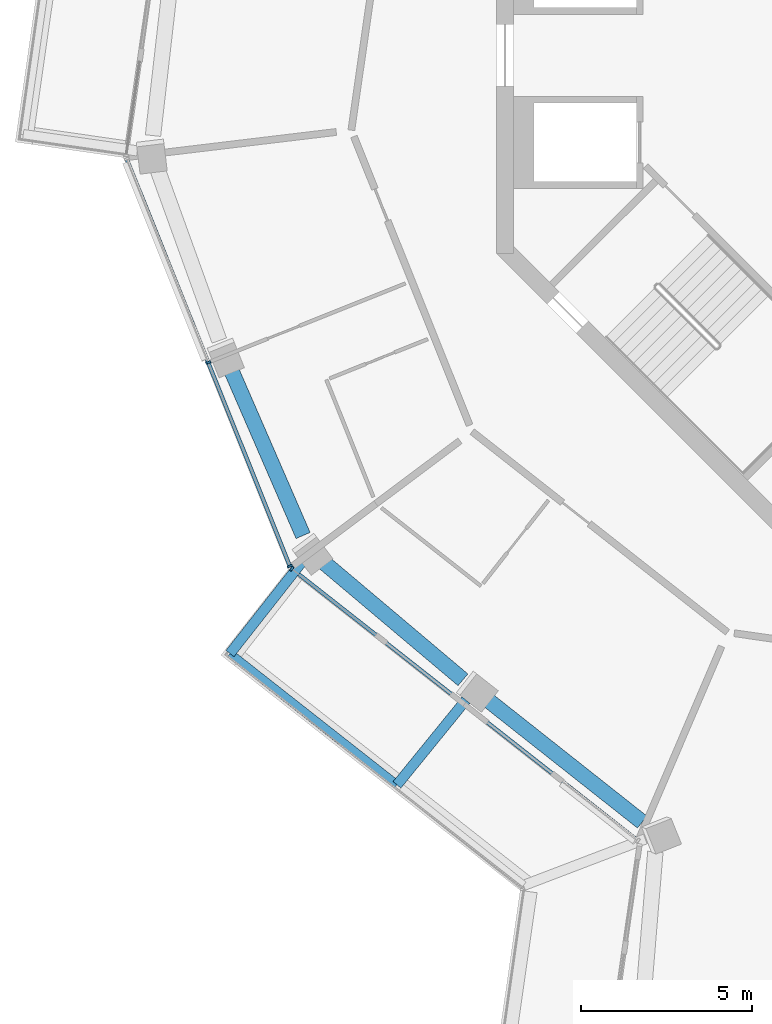
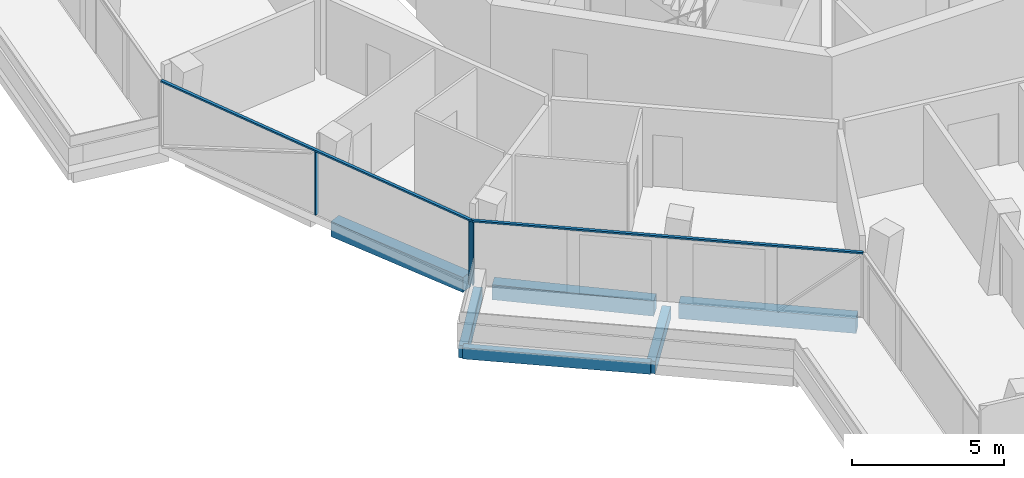
# One storey, part 3 of 23: 6 beams, 5 members, 2 elements without a shape of their own.
"""IFC4 building model written with IfcOpenShell, lengths in metres."""

from ifc_helpers import new_model, si_unit, direction, frame, origin, origin_2d, place, context, subcontext, project, spatial, rectangle, extrude, material, layer, layer_set, material_profile, profile_set, type_object, element, aggregate, save


model = new_model("IFC4")

# Units and contexts
model_context = context("Model", 3, precision=1e-05, world=origin(), true_north=direction((0.0, 1.0)))
body_context = subcontext(model_context, "Body", "Model", "MODEL_VIEW")
ifc_project = project(units=[si_unit("LENGTHUNIT", "METRE"), si_unit("AREAUNIT", "SQUARE_METRE"), si_unit("VOLUMEUNIT", "CUBIC_METRE"), si_unit("PLANEANGLEUNIT", "RADIAN"), si_unit("MASSUNIT", "GRAM", prefix="KILO")], contexts=[model_context])

# Site, building, storey
site_placement = place(None, origin())
site = spatial("IfcSite", under=ifc_project, at=site_placement, CompositionType="ELEMENT")
building_placement = place(site_placement, origin())
building = spatial("IfcBuilding", under=site, at=building_placement, Name="Verdalira Terraces Hotel", CompositionType="ELEMENT")
storey_placement = place(building_placement, frame((0.0, 0.0, 244.5)))
storey = spatial("IfcBuildingStorey", under=building, at=storey_placement, Name="L60", CompositionType="ELEMENT", Elevation=244.5)

# Beams
ifc_material_1 = material(Name="Concrete C40", Category="concrete")
ifc_material_profile_1 = material_profile(ifc_material_1, rectangle(XDim=0.300049, YDim=0.5, at=origin_2d()), Name="RC 300X500")
ifc_profile_set_1 = profile_set([ifc_material_profile_1], Name="Concrete C40")
beam_type_1 = type_object("IfcBeamType", Name="Balcony cantilever beam RC 300X500 C40", PredefinedType="BEAM", material=ifc_profile_set_1)
beam_1_placement = place(storey_placement, frame((-19.7146, -14.859619, -0.560059), z_axis=(-0.617907334, -0.786250931, 0.0), x_axis=(0.786250931, -0.617907334, 0.0)))
element("IfcBeam", 1, at=beam_1_placement, inside=storey, type_object=beam_type_1, Name="Balcony cantilever beam R13-2", PredefinedType="BEAM", context=body_context, shape_type="SweptSolid", body=[
    extrude(rectangle(XDim=0.300049, YDim=0.5, at=origin_2d()), origin(), (0.0, 0.0, 1.0), 3.393555),
])
beam_2_placement = place(storey_placement, frame((-14.897217, -18.890625, -0.560059), z_axis=(-0.630971561, -0.775805961, 0.0), x_axis=(0.775805961, -0.630971561, 0.0)))
element("IfcBeam", 2, at=beam_2_placement, inside=storey, type_object=beam_type_1, Name="Balcony cantilever beam R13-3", PredefinedType="BEAM", context=body_context, shape_type="SweptSolid", body=[
    extrude(rectangle(XDim=0.300049, YDim=0.5, at=origin_2d()), origin(), (0.0, 0.0, 1.0), 3.201172),
])
ifc_material_2 = material(Name="Concrete C40", Category="concrete")
ifc_material_profile_2 = material_profile(ifc_material_2, rectangle(XDim=0.25, YDim=0.449951, at=origin_2d()), Name="RC 250X450")
ifc_profile_set_2 = profile_set([ifc_material_profile_2], Name="Concrete C40")
beam_type_2 = type_object("IfcBeamType", Name="Balcony edge beam RC 250X450 C40", PredefinedType="BEAM", material=ifc_profile_set_2)
beam_3_placement = place(storey_placement, frame((-21.811523, -17.527832, -0.534912), z_axis=(0.786280231, -0.61787005, 0.0), x_axis=(0.61787005, 0.786280231, 0.0)))
element("IfcBeam", 3, at=beam_3_placement, inside=storey, type_object=beam_type_2, Name="Balcony edge beam R13-1", PredefinedType="BEAM", context=body_context, shape_type="SweptSolid", body=[
    extrude(rectangle(XDim=0.25, YDim=0.449951, at=origin_2d()), origin(), (0.0, 0.0, 1.0), 6.224854),
])

# Curtain wall, members
ifc_material_3 = material(Name="Clear glass", Category="glass")
ifc_layer = layer(ifc_material_3, 0.14990234375)
ifc_layer_set = layer_set([ifc_layer], Name="CW1 curtain wall")
curtain_wall_type = type_object("IfcCurtainWallType", Name="CW1 curtain wall", PredefinedType="NOTDEFINED", material=ifc_layer_set)
curtain_wall_1_placement = place(storey_placement, origin())
curtain_wall_1 = element("IfcCurtainWall", 4, at=curtain_wall_1_placement, inside=storey, type_object=curtain_wall_type, Name="CW1 curtain wall L60 edge 12", PredefinedType="NOTDEFINED")
ifc_material_4 = material(Name="Terracotta frame", Category="masonry")
ifc_material_profile_3 = material_profile(ifc_material_4, rectangle(XDim=0.060059, YDim=0.149902, at=origin_2d()), Name="MU 60x150")
ifc_profile_set_3 = profile_set([ifc_material_profile_3], Name="Terracotta frame")
member_type_1 = type_object("IfcMemberType", Name="CW1 mullion 60x150", PredefinedType="MULLION", material=ifc_profile_set_3)
member_1_placement = place(storey_placement, frame((-22.44751, -8.996582, 0.0), z_axis=(0.0, 0.0, 1.0), x_axis=(0.37201595, -0.928226337, 0.0)))
member_1 = element("IfcMember", 5, at=member_1_placement, type_object=member_type_1, Name="CW1 mullion", PredefinedType="MULLION", context=body_context, shape_type="SweptSolid", body=[
    extrude(rectangle(XDim=0.060059, YDim=0.149902, at=origin_2d()), origin(), (0.0, 0.0, 1.0), 2.524902),
])
member_2_placement = place(storey_placement, frame((-20.055664, -14.964844, 0.0), z_axis=(0.0, 0.0, 1.0), x_axis=(0.37201595, -0.928226337, 0.0)))
member_2 = element("IfcMember", 6, at=member_2_placement, type_object=member_type_1, Name="CW1 mullion", PredefinedType="MULLION", context=body_context, shape_type="SweptSolid", body=[
    extrude(rectangle(XDim=0.060059, YDim=0.149902, at=origin_2d()), origin(), (0.0, 0.0, 1.0), 2.524902),
])

# Curtain wall, member
curtain_wall_2_placement = place(storey_placement, origin())
curtain_wall_2 = element("IfcCurtainWall", 7, at=curtain_wall_2_placement, inside=storey, type_object=curtain_wall_type, Name="CW1 curtain wall L60 edge 13", PredefinedType="NOTDEFINED")
member_3_placement = place(storey_placement, frame((-19.997559, -15.042236, 0.0), z_axis=(0.0, 0.0, 1.0), x_axis=(0.786288432, -0.617859613, 0.0)))
member_3 = element("IfcMember", 8, at=member_3_placement, type_object=member_type_1, Name="CW1 mullion", PredefinedType="MULLION", context=body_context, shape_type="SweptSolid", body=[
    extrude(rectangle(XDim=0.060059, YDim=0.149902, at=origin_2d()), origin(), (0.0, 0.0, 1.0), 2.524902),
])

# Member
ifc_material_5 = material(Name="Terracotta frame", Category="masonry")
ifc_material_profile_4 = material_profile(ifc_material_5, rectangle(XDim=0.110107, YDim=0.064941, at=origin_2d()), Name="TR 65x110")
ifc_profile_set_4 = profile_set([ifc_material_profile_4], Name="Terracotta frame")
member_type_2 = type_object("IfcMemberType", Name="CW1 transom 65x110", PredefinedType="USERDEFINED", material=ifc_profile_set_4)
member_4_placement = place(storey_placement, frame((-24.85083, -3.000488, 2.557617), z_axis=(0.372025921, -0.928222341, 0.0), x_axis=(0.928222341, 0.372025921, 0.0)))
member_4 = element("IfcMember", 9, at=member_4_placement, type_object=member_type_2, Name="CW1 transom", ObjectType="TRANSOM", PredefinedType="USERDEFINED", context=body_context, shape_type="SweptSolid", body=[
    extrude(rectangle(XDim=0.110107, YDim=0.064941, at=origin_2d()), origin(), (0.0, 0.0, 1.0), 12.919434),
])

aggregate(curtain_wall_1, [member_1, member_2, member_4])

member_5_placement = place(storey_placement, frame((-20.02124, -15.023926, 2.557617), z_axis=(0.786290229, -0.617857326, 0.0), x_axis=(0.617857326, 0.786290229, 0.0)))
member_5 = element("IfcMember", 10, at=member_5_placement, type_object=member_type_2, Name="CW1 transom", ObjectType="TRANSOM", PredefinedType="USERDEFINED", context=body_context, shape_type="SweptSolid", body=[
    extrude(rectangle(XDim=0.110107, YDim=0.064941, at=origin_2d()), origin(), (0.0, 0.0, 1.0), 12.959717),
])

aggregate(curtain_wall_2, [member_3, member_5])

# Beams
ifc_material_6 = material(Name="Concrete C40", Category="concrete")
ifc_material_profile_5 = material_profile(ifc_material_6, rectangle(XDim=0.449951, YDim=0.600098, at=origin_2d()), Name="RC 450X600")
ifc_profile_set_5 = profile_set([ifc_material_profile_5], Name="Concrete C40")
beam_type_3 = type_object("IfcBeamType", Name="Spandrel beam RC 450X600 C40", PredefinedType="SPANDREL", material=ifc_profile_set_5)
beam_4_placement = place(storey_placement, frame((-21.818848, -9.120117, -0.610107), z_axis=(0.3986715, -0.917093799, 0.0), x_axis=(0.917093799, 0.3986715, 0.0)))
element("IfcBeam", 11, at=beam_4_placement, inside=storey, type_object=beam_type_3, Name="Spandrel beam B05", PredefinedType="SPANDREL", context=body_context, shape_type="SweptSolid", body=[
    extrude(rectangle(XDim=0.449951, YDim=0.600098, at=origin_2d()), origin(), (0.0, 0.0, 1.0), 5.394531),
])
beam_5_placement = place(storey_placement, frame((-19.10791, -14.816895, -0.610107), z_axis=(0.764377178, -0.644769362, 0.0), x_axis=(0.644769362, 0.764377178, 0.0)))
element("IfcBeam", 12, at=beam_5_placement, inside=storey, type_object=beam_type_3, Name="Spandrel beam B06", PredefinedType="SPANDREL", context=body_context, shape_type="SweptSolid", body=[
    extrude(rectangle(XDim=0.449951, YDim=0.600098, at=origin_2d()), origin(), (0.0, 0.0, 1.0), 5.396973),
])
beam_6_placement = place(storey_placement, frame((-14.353516, -18.810547, -0.610107), z_axis=(0.784477467, -0.620157322, 0.0), x_axis=(0.620157322, 0.784477467, 0.0)))
element("IfcBeam", 13, at=beam_6_placement, inside=storey, type_object=beam_type_3, Name="Spandrel beam B07", PredefinedType="SPANDREL", context=body_context, shape_type="SweptSolid", body=[
    extrude(rectangle(XDim=0.449951, YDim=0.600098, at=origin_2d()), origin(), (0.0, 0.0, 1.0), 5.892578),
])

save(model, "model.ifc")
